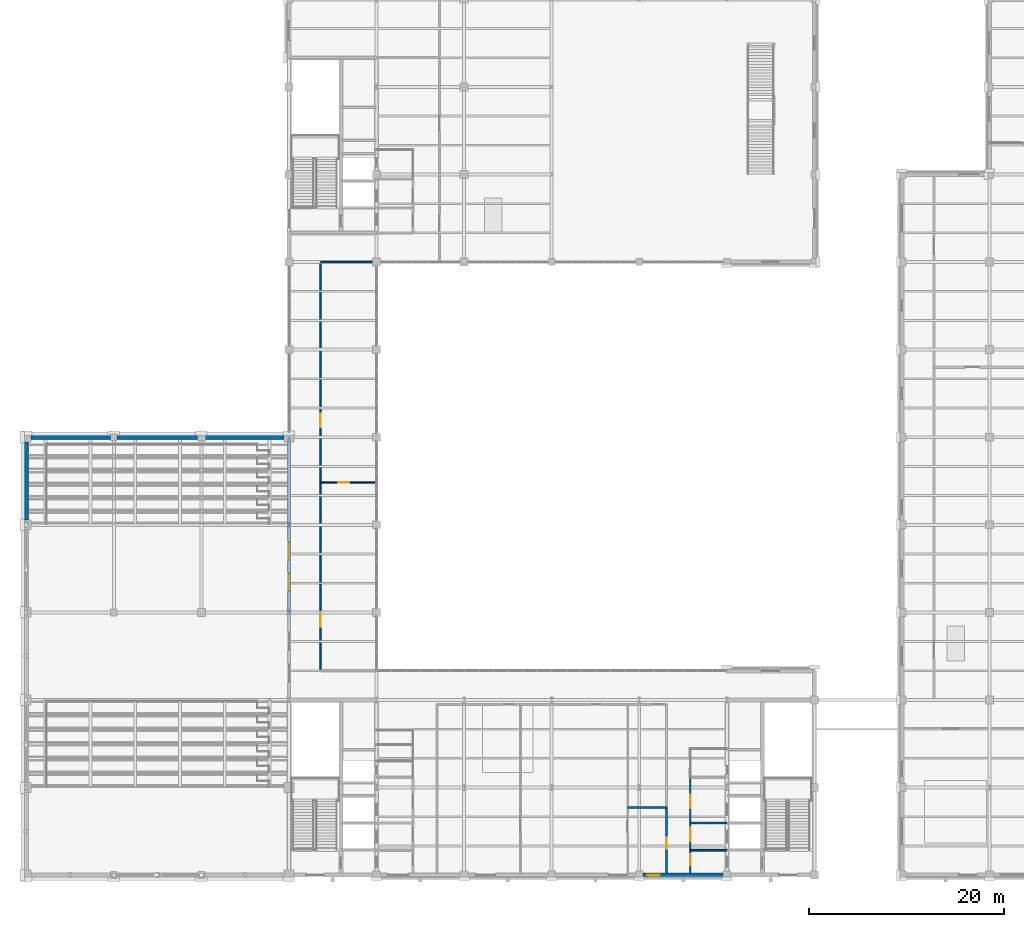
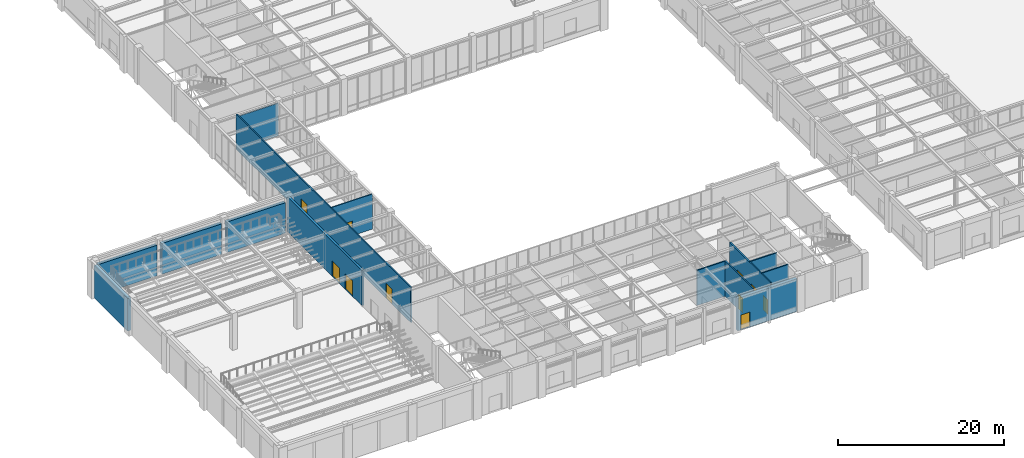
# One storey, part 63 of 77: 14 walls, 10 doors, 10 openings.
"""IFC4 building model written with IfcOpenShell, lengths in metres."""

from ifc_helpers import new_model, si_unit, direction, frame, frame_2d, origin, place, context, subcontext, project, spatial, rectangle, extrude, material, layer, layer_set, type_object, element, fill, save


model = new_model("IFC4")

# Units and contexts
model_context = context("Model", 3, precision=1e-05, world=origin(), true_north=direction((0.0, 1.0)))
body_context = subcontext(model_context, "Body", "Model", "MODEL_VIEW")
ifc_project = project(units=[si_unit("LENGTHUNIT", "METRE"), si_unit("AREAUNIT", "SQUARE_METRE"), si_unit("VOLUMEUNIT", "CUBIC_METRE"), si_unit("PLANEANGLEUNIT", "RADIAN"), si_unit("MASSUNIT", "GRAM", prefix="KILO")], contexts=[model_context])

# Site, building, storey
site_placement = place(None, origin())
site = spatial("IfcSite", under=ifc_project, at=site_placement, CompositionType="ELEMENT")
building_placement = place(site_placement, origin())
building = spatial("IfcBuilding", under=site, at=building_placement, Name="Lykobir Media Centre", CompositionType="ELEMENT")
storey_placement = place(building_placement, origin())
storey = spatial("IfcBuildingStorey", under=building, at=storey_placement, Name="L00", CompositionType="ELEMENT", Elevation=0.0)

# Walls
ifc_material_1 = material(Name="Concrete C35/45", Category="concrete")
ifc_layer_1 = layer(ifc_material_1, 0.4599609375, Name="Concrete C35/45")
ifc_layer_set_1 = layer_set([ifc_layer_1], Name="Concrete C35/45")
wall_type_1 = type_object("IfcWallType", Name="EW-ACO-460", PredefinedType="STANDARD", material=ifc_layer_set_1)
wall_1_placement = place(storey_placement, frame((8.6650390625, 45.0, 0.0), z_axis=(0.0, 0.0, 1.0), x_axis=(-1.0, 0.0, 0.0)))
element("IfcWall", 1, at=wall_1_placement, inside=storey, type_object=wall_type_1, Name="Exterior wall WALL-L00-0111", PredefinedType="STANDARD", context=body_context, shape_type="SweptSolid", body=[
    extrude(rectangle(XDim=8.179931640625, YDim=0.4599609375, at=frame_2d((4.08984375, 0.0))), origin(), (0.0, 0.0, 1.0), 4.4951171875),
])
wall_2_placement = place(storey_placement, frame((17.614990234375, 45.0, 0.0), z_axis=(0.0, 0.0, 1.0), x_axis=(-1.0, 0.0, 0.0)))
element("IfcWall", 2, at=wall_2_placement, inside=storey, type_object=wall_type_1, Name="Exterior wall WALL-L00-0112", PredefinedType="STANDARD", context=body_context, shape_type="SweptSolid", body=[
    extrude(rectangle(XDim=8.280029296875, YDim=0.4599609375, at=frame_2d((4.14013671875, 0.0))), origin(), (0.0, 0.0, 1.0), 4.4951171875),
])
wall_3_placement = place(storey_placement, frame((26.514892578125, 45.0, 0.0), z_axis=(0.0, 0.0, 1.0), x_axis=(-1.0, 0.0, 0.0)))
element("IfcWall", 3, at=wall_3_placement, inside=storey, type_object=wall_type_1, Name="Exterior wall WALL-L00-0113", PredefinedType="STANDARD", context=body_context, shape_type="SweptSolid", body=[
    extrude(rectangle(XDim=8.1298828125, YDim=0.4599609375, at=frame_2d((4.06494140625, 0.0))), origin(), (0.0, 0.0, 1.0), 4.4951171875),
])
wall_4_placement = place(storey_placement, frame((0.0, 44.514892578125, 0.0), z_axis=(0.0, 0.0, 1.0), x_axis=(0.0, -1.0, 0.0)))
element("IfcWall", 4, at=wall_4_placement, inside=storey, type_object=wall_type_1, Name="Exterior wall WALL-L00-0115", PredefinedType="STANDARD", context=body_context, shape_type="SweptSolid", body=[
    extrude(rectangle(XDim=8.02978515625, YDim=0.4599609375, at=frame_2d((4.014892578125, 0.0))), origin(), (0.0, 0.0, 1.0), 4.794921875),
])

# Wall, opening, door
ifc_material_2 = material(Name="Honed Travertine Stone", Category="masonry")
ifc_layer_2 = layer(ifc_material_2, 0.419921875, Name="Honed Travertine Stone")
ifc_layer_set_2 = layer_set([ifc_layer_2], Name="Honed Travertine Stone")
wall_type_2 = type_object("IfcWallType", Name="EW-TRAV-420", PredefinedType="STANDARD", material=ifc_layer_set_2)
wall_5_placement = place(storey_placement, frame((63.385009765625, 0.0, 0.0), z_axis=(0.0, 0.0, 1.0), x_axis=(1.0, 0.0, 0.0)))
wall_5 = element("IfcWall", 5, at=wall_5_placement, inside=storey, type_object=wall_type_2, Name="Exterior wall WALL-L00-0125", PredefinedType="STANDARD", context=body_context, shape_type="SweptSolid", body=[
    extrude(rectangle(XDim=8.22998046875, YDim=0.419921875, at=frame_2d((4.114990234375, 0.0))), origin(), (0.0, 0.0, 1.0), 4.794921875),
])
opening_1_placement = place(wall_5_placement, frame((0.449951171875, 0.0, 0.0)))
opening_1 = element("IfcOpeningElement", 6, at=opening_1_placement, cuts=wall_5, Name="Opening D-L00-FCC1", PredefinedType="OPENING", context=body_context, shape_type="SweptSolid", body=[
    extrude(rectangle(XDim=1.25, YDim=2.199951171875, at=frame_2d((0.625, 1.10009765625))), frame((0.0, 0.219970703125, 0.0), z_axis=(0.0, -1.0, 0.0), x_axis=(1.0, 0.0, 0.0)), (0.0, 0.0, 1.0), 0.43994140625),
])
ifc_material_3 = material(Name="Anodized Aluminium AW-6060", Category="aluminium")
door_type_1 = type_object("IfcDoorType", Name="ED-1250x2200", OperationType="NOTDEFINED", PredefinedType="DOOR", material=ifc_material_3)
door_1_placement = place(opening_1_placement, frame((1.25, 0.0, 0.0), z_axis=(0.0, 0.0, 1.0), x_axis=(-1.0, 0.0, 0.0)))
door_1 = element("IfcDoor", 7, at=door_1_placement, inside=storey, type_object=door_type_1, Name="Fire Command Centre exterior exit door", OperationType="SINGLE_SWING_LEFT", OverallHeight=2.199951171875, OverallWidth=1.25, PredefinedType="DOOR", context=body_context, shape_type="SweptSolid", body=[
    extrude(rectangle(XDim=1.25, YDim=2.199951171875, at=frame_2d((0.625, 1.10009765625))), frame((0.0, 0.02490234375, 0.0), z_axis=(0.0, -1.0, 0.0), x_axis=(1.0, 0.0, 0.0)), (0.0, 0.0, 1.0), 0.050048828125),
])
fill(opening_1, door_1)

# Wall, openings, doors
ifc_material_4 = material(Name="Acoustic Gypsum Board", Category="gypsum")
ifc_layer_3 = layer(ifc_material_4, 0.159912109375, Name="Acoustic Gypsum Board")
ifc_layer_set_3 = layer_set([ifc_layer_3], Name="Acoustic Gypsum Board")
wall_type_3 = type_object("IfcWallType", Name="IW-COR-160", PredefinedType="PARTITIONING", material=ifc_layer_set_3)
wall_6_placement = place(storey_placement, frame((30.25, 21.0, 0.0), z_axis=(0.0, 0.0, 1.0), x_axis=(0.0, 1.0, 0.0)))
wall_6 = element("IfcWall", 8, at=wall_6_placement, inside=storey, type_object=wall_type_3, Name="Wall IWALL-L00-0658", PredefinedType="PARTITIONING", context=body_context, shape_type="SweptSolid", body=[
    extrude(rectangle(XDim=42.0, YDim=0.159912109375, at=frame_2d((21.0, 0.0))), origin(), (0.0, 0.0, 1.0), 5.159912109375),
])
opening_2_placement = place(wall_6_placement, frame((4.5, 0.0, 0.0)))
opening_2 = element("IfcOpeningElement", 9, at=opening_2_placement, cuts=wall_6, Name="Opening D-L00-WG1", PredefinedType="OPENING", context=body_context, shape_type="SweptSolid", body=[
    extrude(rectangle(XDim=1.39990234375, YDim=2.199951171875, at=frame_2d((0.699951171875, 1.10009765625))), frame((0.0, 0.08984375, 0.0), z_axis=(0.0, -1.0, 0.0), x_axis=(1.0, 0.0, 0.0)), (0.0, 0.0, 1.0), 0.179931640625),
])
opening_3_placement = place(wall_6_placement, frame((25.0, 0.0, 0.0)))
opening_3 = element("IfcOpeningElement", 10, at=opening_3_placement, cuts=wall_6, Name="Opening D-L00-WG2", PredefinedType="OPENING", context=body_context, shape_type="SweptSolid", body=[
    extrude(rectangle(XDim=1.39990234375, YDim=2.199951171875, at=frame_2d((0.699951171875, 1.10009765625))), frame((0.0, 0.08984375, 0.0), z_axis=(0.0, -1.0, 0.0), x_axis=(1.0, 0.0, 0.0)), (0.0, 0.0, 1.0), 0.179931640625),
])
ifc_material_5 = material(Name="Acoustic Timber Panelling", Category="wood")
door_type_2 = type_object("IfcDoorType", Name="FD-1400x2200", OperationType="NOTDEFINED", PredefinedType="DOOR", material=ifc_material_5)
door_2_placement = place(opening_2_placement, origin())
door_2 = element("IfcDoor", 11, at=door_2_placement, inside=storey, type_object=door_type_2, Name="Door D-L00-WG1", OperationType="DOUBLE_DOOR_SINGLE_SWING", OverallHeight=2.199951171875, OverallWidth=1.39990234375, PredefinedType="DOOR", context=body_context, shape_type="SweptSolid", body=[
    extrude(rectangle(XDim=1.39990234375, YDim=2.199951171875, at=frame_2d((0.699951171875, 1.10009765625))), frame((0.0, 0.02490234375, 0.0), z_axis=(0.0, -1.0, 0.0), x_axis=(1.0, 0.0, 0.0)), (0.0, 0.0, 1.0), 0.050048828125),
])
fill(opening_2, door_2)
door_3_placement = place(opening_3_placement, origin())
door_3 = element("IfcDoor", 12, at=door_3_placement, inside=storey, type_object=door_type_2, Name="Door D-L00-WG2", OperationType="DOUBLE_DOOR_SINGLE_SWING", OverallHeight=2.199951171875, OverallWidth=1.39990234375, PredefinedType="DOOR", context=body_context, shape_type="SweptSolid", body=[
    extrude(rectangle(XDim=1.39990234375, YDim=2.199951171875, at=frame_2d((0.699951171875, 1.10009765625))), frame((0.0, 0.02490234375, 0.0), z_axis=(0.0, -1.0, 0.0), x_axis=(1.0, 0.0, 0.0)), (0.0, 0.0, 1.0), 0.050048828125),
])
fill(opening_3, door_3)

# Wall
wall_7_placement = place(storey_placement, frame((30.25, 63.0, 0.0), z_axis=(0.0, 0.0, 1.0), x_axis=(1.0, 0.0, 0.0)))
element("IfcWall", 13, at=wall_7_placement, inside=storey, type_object=wall_type_3, Name="Wall IWALL-L00-0660", PredefinedType="PARTITIONING", context=body_context, shape_type="SweptSolid", body=[
    extrude(rectangle(XDim=5.75, YDim=0.159912109375, at=frame_2d((2.875, 0.0))), origin(), (0.0, 0.0, 1.0), 4.794921875),
])

# Wall, openings, doors
ifc_layer_4 = layer(ifc_material_4, 0.179931640625, Name="Acoustic Gypsum Board")
ifc_layer_set_4 = layer_set([ifc_layer_4], Name="Acoustic Gypsum Board")
wall_type_4 = type_object("IfcWallType", Name="IW-FFLOB-180", PredefinedType="PARTITIONING", material=ifc_layer_set_4)
wall_8_placement = place(storey_placement, frame((68.25, 0.219970703125, 0.0), z_axis=(0.0, 0.0, 1.0), x_axis=(0.0, 1.0, 0.0)))
wall_8 = element("IfcWall", 14, at=wall_8_placement, inside=storey, type_object=wall_type_4, Name="Wall IWALL-L00-0207", PredefinedType="PARTITIONING", context=body_context, shape_type="SweptSolid", body=[
    extrude(rectangle(XDim=9.830078125, YDim=0.179931640625, at=frame_2d((4.9150390625, 0.0))), origin(), (0.0, 0.0, 1.0), 5.159912109375),
])
opening_4_placement = place(wall_8_placement, frame((0.800048828125, 0.0, 0.0)))
opening_4 = element("IfcOpeningElement", 15, at=opening_4_placement, cuts=wall_8, Name="Opening D-L00-C2LV", PredefinedType="OPENING", context=body_context, shape_type="SweptSolid", body=[
    extrude(rectangle(XDim=1.10009765625, YDim=2.159912109375, at=frame_2d((0.550048828125, 1.080078125))), frame((0.0, 0.099853515625, 0.0), z_axis=(0.0, -1.0, 0.0), x_axis=(1.0, 0.0, 0.0)), (0.0, 0.0, 1.0), 0.199951171875),
])
opening_5_placement = place(wall_8_placement, frame((3.25, 0.0, 0.0)))
opening_5 = element("IfcOpeningElement", 16, at=opening_5_placement, cuts=wall_8, Name="Opening D-L00-C2PL", PredefinedType="OPENING", context=body_context, shape_type="SweptSolid", body=[
    extrude(rectangle(XDim=1.39990234375, YDim=2.199951171875, at=frame_2d((0.699951171875, 1.10009765625))), frame((0.0, 0.099853515625, 0.0), z_axis=(0.0, -1.0, 0.0), x_axis=(1.0, 0.0, 0.0)), (0.0, 0.0, 1.0), 0.199951171875),
])
opening_6_placement = place(wall_8_placement, frame((6.64990234375, 0.0, 0.0)))
opening_6 = element("IfcOpeningElement", 17, at=opening_6_placement, cuts=wall_8, Name="Opening D-L00-C2FF", PredefinedType="OPENING", context=body_context, shape_type="SweptSolid", body=[
    extrude(rectangle(XDim=1.39990234375, YDim=2.199951171875, at=frame_2d((0.699951171875, 1.10009765625))), frame((0.0, 0.099853515625, 0.0), z_axis=(0.0, -1.0, 0.0), x_axis=(1.0, 0.0, 0.0)), (0.0, 0.0, 1.0), 0.199951171875),
])
door_type_3 = type_object("IfcDoorType", Name="FD-1100x2160", OperationType="NOTDEFINED", PredefinedType="DOOR", material=ifc_material_5)
door_4_placement = place(opening_4_placement, origin())
door_4 = element("IfcDoor", 18, at=door_4_placement, inside=storey, type_object=door_type_3, Name="Door D-L00-C2LV", OperationType="SINGLE_SWING_LEFT", OverallHeight=2.159912109375, OverallWidth=1.10009765625, PredefinedType="DOOR", context=body_context, shape_type="SweptSolid", body=[
    extrude(rectangle(XDim=1.10009765625, YDim=2.159912109375, at=frame_2d((0.550048828125, 1.080078125))), frame((0.0, 0.02490234375, 0.0), z_axis=(0.0, -1.0, 0.0), x_axis=(1.0, 0.0, 0.0)), (0.0, 0.0, 1.0), 0.050048828125),
])
fill(opening_4, door_4)
door_5_placement = place(opening_5_placement, origin())
door_5 = element("IfcDoor", 19, at=door_5_placement, inside=storey, type_object=door_type_2, Name="Door D-L00-C2PL", OperationType="DOUBLE_DOOR_SINGLE_SWING", OverallHeight=2.199951171875, OverallWidth=1.39990234375, PredefinedType="DOOR", context=body_context, shape_type="SweptSolid", body=[
    extrude(rectangle(XDim=1.39990234375, YDim=2.199951171875, at=frame_2d((0.699951171875, 1.10009765625))), frame((0.0, 0.02490234375, 0.0), z_axis=(0.0, -1.0, 0.0), x_axis=(1.0, 0.0, 0.0)), (0.0, 0.0, 1.0), 0.050048828125),
])
fill(opening_5, door_5)
door_6_placement = place(opening_6_placement, origin())
door_6 = element("IfcDoor", 20, at=door_6_placement, inside=storey, type_object=door_type_2, Name="Door D-L00-C2FF", OperationType="DOUBLE_DOOR_SINGLE_SWING", OverallHeight=2.199951171875, OverallWidth=1.39990234375, PredefinedType="DOOR", context=body_context, shape_type="SweptSolid", body=[
    extrude(rectangle(XDim=1.39990234375, YDim=2.199951171875, at=frame_2d((0.699951171875, 1.10009765625))), frame((0.0, 0.02490234375, 0.0), z_axis=(0.0, -1.0, 0.0), x_axis=(1.0, 0.0, 0.0)), (0.0, 0.0, 1.0), 0.050048828125),
])
fill(opening_6, door_6)

# Walls
for number, where, z_axis, x_axis, name in (
    (21, (68.25, 2.550048828125, 0.0), (0.0, 0.0, 1.0), (1.0, 0.0, 0.0), "Wall IWALL-L00-0208"),
    (22, (68.25, 5.35009765625, 0.0), (0.0, 0.0, 1.0), (1.0, 0.0, 0.0), "Wall IWALL-L00-0209"),
):
    element("IfcWall", number, at=place(storey_placement, frame(where, z_axis=z_axis, x_axis=x_axis)), inside=storey, type_object=wall_type_4, Name=name, PredefinedType="PARTITIONING", context=body_context, shape_type="SweptSolid", body=[
        extrude(rectangle(XDim=3.75, YDim=0.179931640625, at=frame_2d((1.875, 0.0))), origin(), (0.0, 0.0, 1.0), 5.159912109375),
    ])

# Wall, opening, door
wall_9_placement = place(storey_placement, frame((65.800048828125, 0.219970703125, 0.0), z_axis=(0.0, 0.0, 1.0), x_axis=(0.0, 1.0, 0.0)))
wall_9 = element("IfcWall", 23, at=wall_9_placement, inside=storey, type_object=wall_type_4, Name="Wall IWALL-L00-0213", PredefinedType="PARTITIONING", context=body_context, shape_type="SweptSolid", body=[
    extrude(rectangle(XDim=6.72998046875, YDim=0.179931640625, at=frame_2d((3.364990234375, 0.0))), origin(), (0.0, 0.0, 1.0), 5.159912109375),
])
opening_7_placement = place(wall_9_placement, frame((2.5, 0.0, 0.0)))
opening_7 = element("IfcOpeningElement", 24, at=opening_7_placement, cuts=wall_9, Name="Opening D-L00-FCCI", PredefinedType="OPENING", context=body_context, shape_type="SweptSolid", body=[
    extrude(rectangle(XDim=1.10009765625, YDim=2.159912109375, at=frame_2d((0.550048828125, 1.080078125))), frame((0.0, 0.099853515625, 0.0), z_axis=(0.0, -1.0, 0.0), x_axis=(1.0, 0.0, 0.0)), (0.0, 0.0, 1.0), 0.199951171875),
])
door_7_placement = place(opening_7_placement, origin())
door_7 = element("IfcDoor", 25, at=door_7_placement, inside=storey, type_object=door_type_3, Name="Fire Command Centre interior door", OperationType="SINGLE_SWING_LEFT", OverallHeight=2.159912109375, OverallWidth=1.10009765625, PredefinedType="DOOR", context=body_context, shape_type="SweptSolid", body=[
    extrude(rectangle(XDim=1.10009765625, YDim=2.159912109375, at=frame_2d((0.550048828125, 1.080078125))), frame((0.0, 0.02490234375, 0.0), z_axis=(0.0, -1.0, 0.0), x_axis=(1.0, 0.0, 0.0)), (0.0, 0.0, 1.0), 0.050048828125),
])
fill(opening_7, door_7)

# Wall
wall_10_placement = place(storey_placement, frame((61.800048828125, 6.949951171875, 0.0), z_axis=(0.0, 0.0, 1.0), x_axis=(1.0, 0.0, 0.0)))
element("IfcWall", 26, at=wall_10_placement, inside=storey, type_object=wall_type_4, Name="Wall IWALL-L00-0214", PredefinedType="PARTITIONING", context=body_context, shape_type="SweptSolid", body=[
    extrude(rectangle(XDim=4.0, YDim=0.179931640625, at=frame_2d((2.0, 0.0))), origin(), (0.0, 0.0, 1.0), 5.159912109375),
])

# Wall, opening, door
ifc_layer_5 = layer(ifc_material_4, 0.125, Name="Acoustic Gypsum Board")
ifc_layer_set_5 = layer_set([ifc_layer_5], Name="Acoustic Gypsum Board")
wall_type_5 = type_object("IfcWallType", Name="IW-RM-125", PredefinedType="PARTITIONING", material=ifc_layer_set_5)
wall_11_placement = place(storey_placement, frame((30.25, 40.35009765625, 0.0), z_axis=(0.0, 0.0, 1.0), x_axis=(1.0, 0.0, 0.0)))
wall_11 = element("IfcWall", 27, at=wall_11_placement, inside=storey, type_object=wall_type_5, Name="Wall IWALL-L00-0661", PredefinedType="PARTITIONING", context=body_context, shape_type="SweptSolid", body=[
    extrude(rectangle(XDim=5.75, YDim=0.125, at=frame_2d((2.875, 0.0))), origin(), (0.0, 0.0, 1.0), 5.159912109375),
])
opening_8_placement = place(wall_11_placement, frame((1.800048828125, 0.0, 0.0)))
opening_8 = element("IfcOpeningElement", 28, at=opening_8_placement, cuts=wall_11, Name="Opening D-L00-CS1", PredefinedType="OPENING", context=body_context, shape_type="SweptSolid", body=[
    extrude(rectangle(XDim=1.14990234375, YDim=2.14990234375, at=frame_2d((0.574951171875, 1.074951171875))), frame((0.0, 0.072509765625, 0.0), z_axis=(0.0, -1.0, 0.0), x_axis=(1.0, 0.0, 0.0)), (0.0, 0.0, 1.0), 0.14501953125),
])
door_type_4 = type_object("IfcDoorType", Name="ID-1150x2150", OperationType="NOTDEFINED", PredefinedType="DOOR", material=ifc_material_5)
door_8_placement = place(opening_8_placement, origin())
door_8 = element("IfcDoor", 29, at=door_8_placement, inside=storey, type_object=door_type_4, Name="Door D-L00-CS1", OperationType="SINGLE_SWING_LEFT", OverallHeight=2.14990234375, OverallWidth=1.14990234375, PredefinedType="DOOR", context=body_context, shape_type="SweptSolid", body=[
    extrude(rectangle(XDim=1.14990234375, YDim=2.14990234375, at=frame_2d((0.574951171875, 1.074951171875))), frame((0.0, 0.02490234375, 0.0), z_axis=(0.0, -1.0, 0.0), x_axis=(1.0, 0.0, 0.0)), (0.0, 0.0, 1.0), 0.050048828125),
])
fill(opening_8, door_8)

# Wall, openings, doors
ifc_material_6 = material(Name="Concrete C40/50", Category="concrete")
ifc_layer_6 = layer(ifc_material_6, 0.300048828125, Name="Concrete C40/50")
ifc_layer_set_6 = layer_set([ifc_layer_6], Name="Concrete C40/50")
wall_type_6 = type_object("IfcWallType", Name="SW-COMP-300", PredefinedType="SHEAR", material=ifc_layer_set_6)
wall_12_placement = place(storey_placement, frame((27.0, 27.0, 0.0), z_axis=(0.0, 0.0, 1.0), x_axis=(0.0, 1.0, 0.0)))
wall_12 = element("IfcWall", 30, at=wall_12_placement, inside=storey, type_object=wall_type_6, Name="Wall IWALL-L00-0663", PredefinedType="SHEAR", context=body_context, shape_type="SweptSolid", body=[
    extrude(rectangle(XDim=18.0, YDim=0.300048828125, at=frame_2d((9.0, 0.0))), origin(), (0.0, 0.0, 1.0), 5.159912109375),
])
opening_9_placement = place(wall_12_placement, frame((2.199951171875, 0.0, 0.0)))
opening_9 = element("IfcOpeningElement", 31, at=opening_9_placement, cuts=wall_12, Name="Opening D-L00-CIN1", PredefinedType="OPENING", context=body_context, shape_type="SweptSolid", body=[
    extrude(rectangle(XDim=1.800048828125, YDim=2.280029296875, at=frame_2d((0.89990234375, 1.14013671875))), frame((0.0, 0.159912109375, 0.0), z_axis=(0.0, -1.0, 0.0), x_axis=(1.0, 0.0, 0.0)), (0.0, 0.0, 1.0), 0.320068359375),
])
opening_10_placement = place(wall_12_placement, frame((5.39990234375, 0.0, 0.0)))
opening_10 = element("IfcOpeningElement", 32, at=opening_10_placement, cuts=wall_12, Name="Opening D-L00-CIN2", PredefinedType="OPENING", context=body_context, shape_type="SweptSolid", body=[
    extrude(rectangle(XDim=1.800048828125, YDim=2.280029296875, at=frame_2d((0.89990234375, 1.14013671875))), frame((0.0, 0.159912109375, 0.0), z_axis=(0.0, -1.0, 0.0), x_axis=(1.0, 0.0, 0.0)), (0.0, 0.0, 1.0), 0.320068359375),
])
door_type_5 = type_object("IfcDoorType", Name="FD-1800x2280", OperationType="NOTDEFINED", PredefinedType="DOOR", material=ifc_material_5)
door_9_placement = place(opening_9_placement, origin())
door_9 = element("IfcDoor", 33, at=door_9_placement, inside=storey, type_object=door_type_5, Name="Door D-L00-CIN1", OperationType="DOUBLE_DOOR_SINGLE_SWING", OverallHeight=2.280029296875, OverallWidth=1.800048828125, PredefinedType="DOOR", context=body_context, shape_type="SweptSolid", body=[
    extrude(rectangle(XDim=1.800048828125, YDim=2.280029296875, at=frame_2d((0.89990234375, 1.14013671875))), frame((0.0, 0.02490234375, 0.0), z_axis=(0.0, -1.0, 0.0), x_axis=(1.0, 0.0, 0.0)), (0.0, 0.0, 1.0), 0.050048828125),
])
fill(opening_9, door_9)
door_10_placement = place(opening_10_placement, origin())
door_10 = element("IfcDoor", 34, at=door_10_placement, inside=storey, type_object=door_type_5, Name="Door D-L00-CIN2", OperationType="DOUBLE_DOOR_SINGLE_SWING", OverallHeight=2.280029296875, OverallWidth=1.800048828125, PredefinedType="DOOR", context=body_context, shape_type="SweptSolid", body=[
    extrude(rectangle(XDim=1.800048828125, YDim=2.280029296875, at=frame_2d((0.89990234375, 1.14013671875))), frame((0.0, 0.02490234375, 0.0), z_axis=(0.0, -1.0, 0.0), x_axis=(1.0, 0.0, 0.0)), (0.0, 0.0, 1.0), 0.050048828125),
])
fill(opening_10, door_10)

save(model, "model.ifc")
